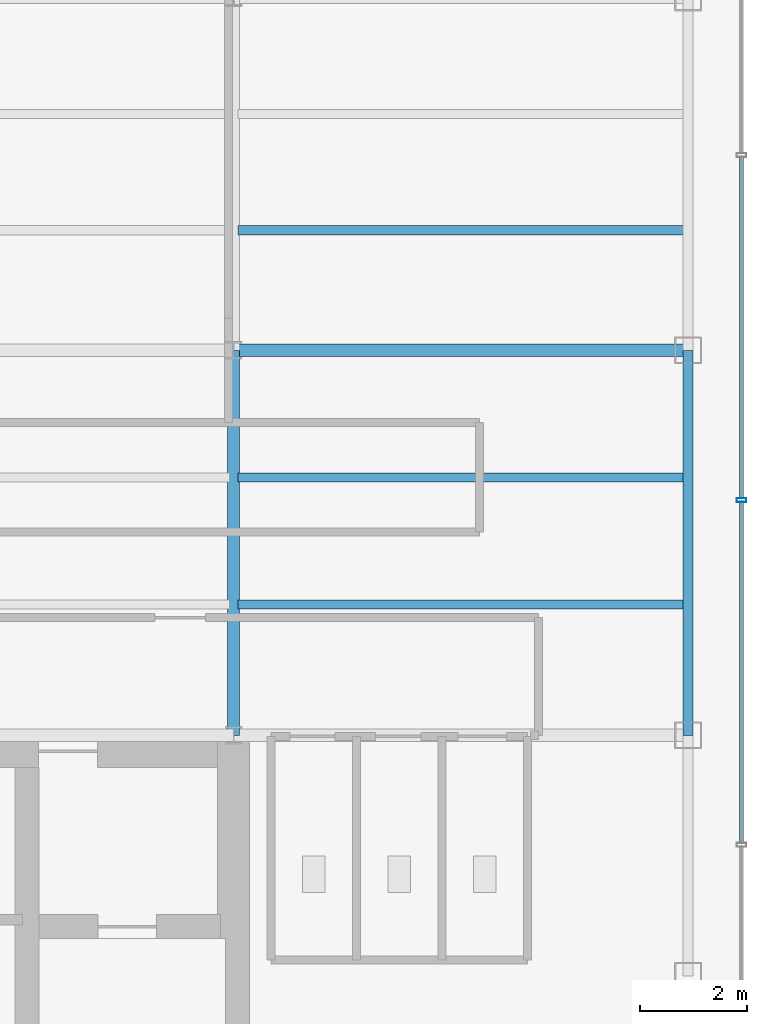
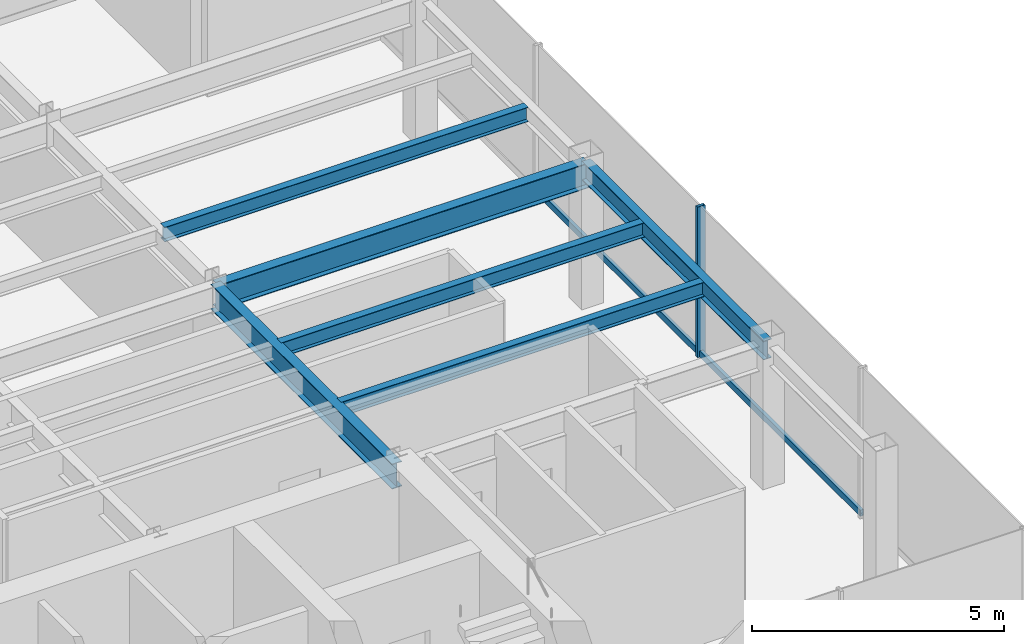
# One storey, part 10 of 22: 6 beams, 3 members, 1 element without a shape of its own.
"""IFC4 building model written with IfcOpenShell, lengths in metres."""

from ifc_helpers import new_model, si_unit, derived_unit, direction, frame, origin, origin_2d, place, context, subcontext, project, spatial, hollow_rectangle, i_section, extrude, source, transform, mapped, material, material_profile, profile_set, type_object, element, aggregate, save


model = new_model("IFC4")

# Units and contexts
model_context = context("Model", 3, precision=1e-05, world=origin(), true_north=direction((0.0, 1.0)))
body_context = subcontext(model_context, "Body", "Model", "MODEL_VIEW")
ifc_project = project(units=[si_unit("LENGTHUNIT", "METRE"), si_unit("AREAUNIT", "SQUARE_METRE"), si_unit("VOLUMEUNIT", "CUBIC_METRE"), si_unit("PLANEANGLEUNIT", "RADIAN"), si_unit("MASSUNIT", "GRAM", prefix="KILO"), derived_unit("THERMALTRANSMITTANCEUNIT", [(si_unit("POWERUNIT", "WATT"), 1), (si_unit("LENGTHUNIT", "METRE"), -2), (si_unit("THERMODYNAMICTEMPERATUREUNIT", "KELVIN"), -1)])], contexts=[model_context])

# Site, building, storey
site_placement = place(None, origin())
site = spatial("IfcSite", under=ifc_project, at=site_placement, CompositionType="ELEMENT")
building_placement = place(site_placement, origin())
building = spatial("IfcBuilding", under=site, at=building_placement, Name="Skarnbrae Concourse Arena and Tower", CompositionType="ELEMENT")
storey_placement = place(building_placement, frame((0.0, 0.0, 195.89990234375)))
storey = spatial("IfcBuildingStorey", under=building, at=storey_placement, Name="L50", CompositionType="ELEMENT", Elevation=195.89990234375)

# Beams
ifc_material_1 = material(Name="Steel CSA G40.21 350W", Category="steel")
ifc_material_profile_1 = material_profile(ifc_material_1, i_section(OverallWidth=0.22802734375, OverallDepth=0.60791015625, WebThickness=0.01123046875, FlangeThickness=0.017333984375, at=origin_2d()), Name="W610X113")
ifc_profile_set_1 = profile_set([ifc_material_profile_1], Name="Steel CSA G40.21 350W")
beam_type_1 = type_object("IfcBeamType", Name="BM-GIRD-W610X113", PredefinedType="BEAM", material=ifc_profile_set_1)
shared_shape_1 = source(origin(), body_context, "Body", "SweptSolid", [
    extrude(i_section(OverallWidth=0.22802734375, OverallDepth=0.60791015625, WebThickness=0.01123046875, FlangeThickness=0.017333984375, at=origin_2d()), origin(), (0.0, 0.0, 1.0), 8.5),
])
beam_1_placement = place(storey_placement, frame((33.5, 21.199951171875, 3.09619140625), z_axis=(1.0, 0.0, 0.0), x_axis=(0.0, 1.0, 0.0)))
element("IfcBeam", 1, at=beam_1_placement, inside=storey, type_object=beam_type_1, Name="L50 Primary E-W girder Y21.2-6", PredefinedType="BEAM", context=body_context, shape_type="MappedRepresentation", body=[
    mapped(shared_shape_1, transform((0.0, 0.0, 0.0))),
])
ifc_material_profile_2 = material_profile(ifc_material_1, i_section(OverallWidth=0.19091796875, OverallDepth=0.4599609375, WebThickness=0.010009765625, FlangeThickness=0.01611328125, at=origin_2d()), Name="W460X82")
ifc_profile_set_2 = profile_set([ifc_material_profile_2], Name="Steel CSA G40.21 350W")
beam_type_2 = type_object("IfcBeamType", Name="BM-SPAN-W460X82", PredefinedType="SPANDREL", material=ifc_profile_set_2)
shared_shape_2 = source(origin(), body_context, "Body", "SweptSolid", [
    extrude(i_section(OverallWidth=0.19091796875, OverallDepth=0.4599609375, WebThickness=0.010009765625, FlangeThickness=0.01611328125, at=origin_2d()), origin(), (0.0, 0.0, 1.0), 7.199951171875),
])
beam_2_placement = place(storey_placement, frame((42.0, 14.0, 3.170166015625), z_axis=(0.0, 1.0, 0.0), x_axis=(-1.0, 0.0, 0.0)))
element("IfcBeam", 2, at=beam_2_placement, inside=storey, type_object=beam_type_2, Name="L50 Perimeter spandrel X42.0-2", PredefinedType="SPANDREL", context=body_context, shape_type="MappedRepresentation", body=[
    mapped(shared_shape_2, transform((0.0, 0.0, 0.0))),
])
shared_shape_3 = source(origin(), body_context, "Body", "SweptSolid", [
    extrude(i_section(OverallWidth=0.22802734375, OverallDepth=0.60791015625, WebThickness=0.01123046875, FlangeThickness=0.017333984375, at=origin_2d()), origin(), (0.0, 0.0, 1.0), 7.199951171875),
])
beam_3_placement = place(storey_placement, frame((33.5, 14.0, 3.09619140625), z_axis=(0.0, 1.0, 0.0), x_axis=(-1.0, 0.0, 0.0)))
element("IfcBeam", 3, at=beam_3_placement, inside=storey, type_object=beam_type_1, Name="L50 Primary N-S girder X33.5-1", PredefinedType="BEAM", context=body_context, shape_type="MappedRepresentation", body=[
    mapped(shared_shape_3, transform((0.0, 0.0, 0.0))),
])
ifc_material_profile_3 = material_profile(ifc_material_1, i_section(OverallWidth=0.1708984375, OverallDepth=0.35498046875, WebThickness=0.007080078125, FlangeThickness=0.01171875, at=origin_2d()), Name="W360X51")
ifc_profile_set_3 = profile_set([ifc_material_profile_3], Name="Steel CSA G40.21 350W")
beam_type_3 = type_object("IfcBeamType", Name="BM-JOIST-W360X51", PredefinedType="JOIST", material=ifc_profile_set_3)
shared_shape_4 = source(origin(), body_context, "Body", "SweptSolid", [
    extrude(i_section(OverallWidth=0.1708984375, OverallDepth=0.35498046875, WebThickness=0.007080078125, FlangeThickness=0.01171875, at=origin_2d()), origin(), (0.0, 0.0, 1.0), 8.33984375),
])
for number, where, z_axis, x_axis, name in (
    (4, (33.580078125, 16.447998046875, 3.22265625), (1.0, 0.0, 0.0), (0.0, 1.0, 0.0), "L50 Secondary floor joist 1.1.6"),
    (5, (33.580078125, 18.823974609375, 3.22265625), (1.0, 0.0, 0.0), (0.0, 1.0, 0.0), "L50 Secondary floor joist 1.2.6"),
    (6, (33.580078125, 23.444091796875, 3.22265625), (1.0, 0.0, 0.0), (0.0, 1.0, 0.0), "L50 Secondary floor joist 2.1.6"),
):
    element("IfcBeam", number, at=place(storey_placement, frame(where, z_axis=z_axis, x_axis=x_axis)), inside=storey, type_object=beam_type_3, Name=name, PredefinedType="JOIST", context=body_context, shape_type="MappedRepresentation", body=[
        mapped(shared_shape_4, transform((0.0, 0.0, 0.0))),
    ])

# Curtain wall, members
ifc_material_2 = material(Name="Bronze anodised aluminium 6063-T6", Category="aluminium")
curtain_wall_type = type_object("IfcCurtainWallType", Name="CW-SYS-05-HIGHZONE", PredefinedType="USERDEFINED", material=ifc_material_2)
curtain_wall_placement = place(storey_placement, origin())
curtain_wall = element("IfcCurtainWall", 7, at=curtain_wall_placement, inside=storey, type_object=curtain_wall_type, Name="L50 Unitised curtain wall CW-L50-E04", ObjectType="UNITISED CURTAIN WALL", PredefinedType="USERDEFINED")
ifc_material_profile_4 = material_profile(ifc_material_2, hollow_rectangle(XDim=0.074951171875, YDim=0.14990234375, WallThickness=0.00390625, at=origin_2d()), Name="ALU-TRAN-75X150")
ifc_profile_set_4 = profile_set([ifc_material_profile_4], Name="Bronze anodised aluminium 6063-T6")
member_type_1 = type_object("IfcMemberType", Name="CWT-CW-05", PredefinedType="USERDEFINED", material=ifc_profile_set_4)
shared_shape_5 = source(origin(), body_context, "Body", "SweptSolid", [
    extrude(hollow_rectangle(XDim=0.074951171875, YDim=0.14990234375, WallThickness=0.00390625, at=origin_2d()), origin(), (0.0, 0.0, 1.0), 6.375),
])
member_1_placement = place(storey_placement, frame((43.0, 11.987548828125, 0.0751953125), z_axis=(0.0, 1.0, 0.0), x_axis=(-1.0, 0.0, 0.0)))
member_1 = element("IfcMember", 8, at=member_1_placement, type_object=member_type_1, Name="CW-L50-E04 Transom 2", ObjectType="TRANSOM", PredefinedType="USERDEFINED", context=body_context, shape_type="MappedRepresentation", body=[
    mapped(shared_shape_5, transform((0.0, 0.0, 0.0))),
])
member_2_placement = place(storey_placement, frame((43.0, 18.4375, 0.0751953125), z_axis=(0.0, 1.0, 0.0), x_axis=(-1.0, 0.0, 0.0)))
member_2 = element("IfcMember", 9, at=member_2_placement, type_object=member_type_1, Name="CW-L50-E04 Transom 3", ObjectType="TRANSOM", PredefinedType="USERDEFINED", context=body_context, shape_type="MappedRepresentation", body=[
    mapped(shared_shape_5, transform((0.0, 0.0, 0.0))),
])
ifc_material_profile_5 = material_profile(ifc_material_2, hollow_rectangle(XDim=0.074951171875, YDim=0.179931640625, WallThickness=0.00390625, at=origin_2d()), Name="ALU-MULL-75X180")
ifc_profile_set_5 = profile_set([ifc_material_profile_5], Name="Bronze anodised aluminium 6063-T6")
member_type_2 = type_object("IfcMemberType", Name="CWM-CW-05", PredefinedType="MULLION", material=ifc_profile_set_5)
shared_shape_6 = source(origin(), body_context, "Body", "SweptSolid", [
    extrude(hollow_rectangle(XDim=0.074951171875, YDim=0.179931640625, WallThickness=0.00390625, at=origin_2d()), origin(), (0.0, 0.0, 1.0), 3.650146484375),
])
member_3_placement = place(storey_placement, frame((43.0, 18.39990234375, 0.0), z_axis=(0.0, 0.0, 1.0), x_axis=(0.0, 1.0, 0.0)))
member_3 = element("IfcMember", 10, at=member_3_placement, type_object=member_type_2, Name="CW-L50-E04 Mullion 3", PredefinedType="MULLION", context=body_context, shape_type="MappedRepresentation", body=[
    mapped(shared_shape_6, transform((0.0, 0.0, 0.0))),
])
aggregate(curtain_wall, [member_3, member_1, member_2])

save(model, "model.ifc")
